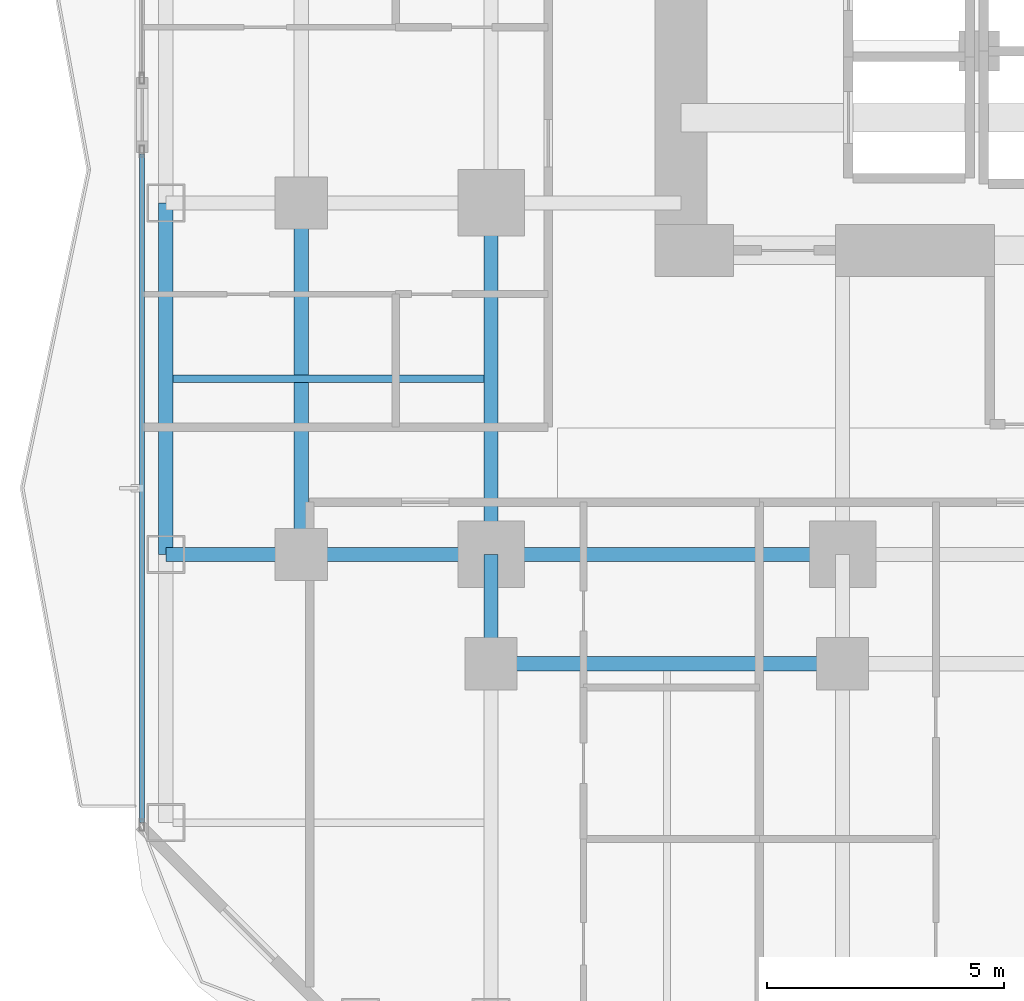
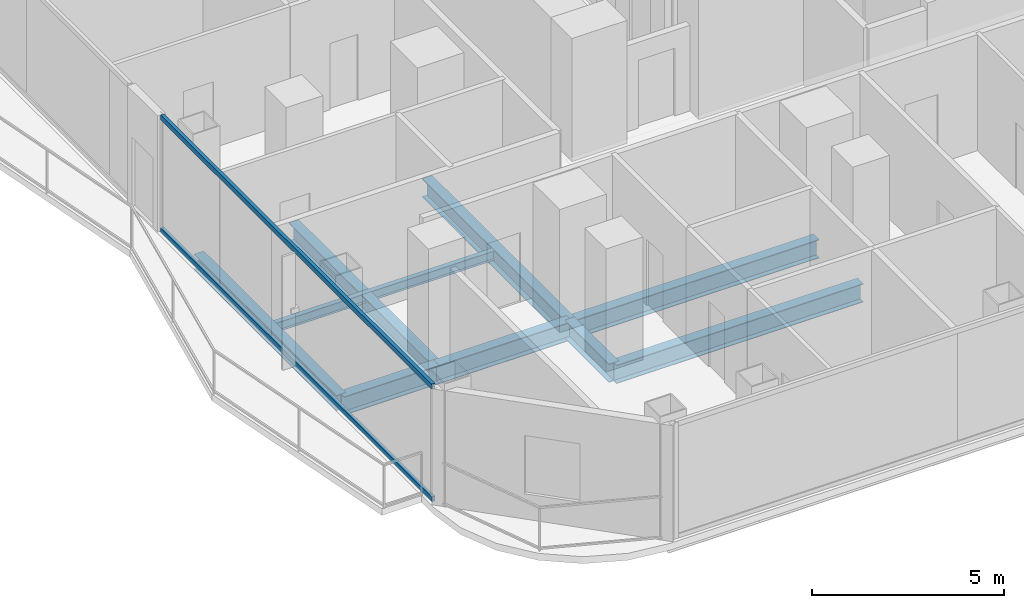
# One storey, part 3 of 30: 9 beams, 2 members, 1 element without a shape of its own.
"""IFC4 building model written with IfcOpenShell, lengths in metres."""

from ifc_helpers import new_model, si_unit, direction, frame, origin, origin_2d, place, context, subcontext, project, spatial, hollow_rectangle, i_section, extrude, material, layer, layer_set, material_profile, profile_set, type_object, element, aggregate, save


model = new_model("IFC4")

# Units and contexts
model_context = context("Model", 3, precision=1e-05, world=origin(), true_north=direction((0.0, 1.0)))
body_context = subcontext(model_context, "Body", "Model", "MODEL_VIEW")
ifc_project = project(units=[si_unit("LENGTHUNIT", "METRE"), si_unit("AREAUNIT", "SQUARE_METRE"), si_unit("VOLUMEUNIT", "CUBIC_METRE"), si_unit("PLANEANGLEUNIT", "RADIAN"), si_unit("MASSUNIT", "GRAM", prefix="KILO")], contexts=[model_context])

# Site, building, storey
site_placement = place(None, origin())
site = spatial("IfcSite", under=ifc_project, at=site_placement, CompositionType="ELEMENT")
building_placement = place(site_placement, origin())
building = spatial("IfcBuilding", under=site, at=building_placement, Name="Khorvyn Point Tower", CompositionType="ELEMENT")
storey_placement = place(building_placement, frame((0.0, 0.0, 30.60009765625)))
storey = spatial("IfcBuildingStorey", under=building, at=storey_placement, Name="L08", CompositionType="ELEMENT", Elevation=30.60009765625)

# Curtain wall, members
ifc_material_1 = material(Name="Anodised aluminium 6063-T6 and laminated Low-E glass", Category="aluminium")
ifc_layer = layer(ifc_material_1, 0.18994140625)
ifc_layer_set = layer_set([ifc_layer], Name="Stick-Built Finned Residential Curtain Wall CW-SYS-02")
curtain_wall_type = type_object("IfcCurtainWallType", Name="Stick-Built Finned Residential Curtain Wall CW-SYS-02", PredefinedType="NOTDEFINED", material=ifc_layer_set)
curtain_wall_placement = place(storey_placement, origin())
curtain_wall = element("IfcCurtainWall", 1, at=curtain_wall_placement, inside=storey, type_object=curtain_wall_type, Name="Curtain Wall", PredefinedType="NOTDEFINED")
ifc_material_2 = material(Name="Anodised aluminium 6063-T6", Category="aluminium")
ifc_material_profile_1 = material_profile(ifc_material_2, hollow_rectangle(XDim=0.10009765625, YDim=0.159912109375, WallThickness=0.00439453125, at=origin_2d()))
ifc_profile_set_1 = profile_set([ifc_material_profile_1], Name="Anodised aluminium 6063-T6 ALU-TRN-100x160")
member_type = type_object("IfcMemberType", Name="Anodised Aluminium 6063-T6 Transom ALU-TRN-100x160", PredefinedType="USERDEFINED", material=ifc_profile_set_1)
member_1_placement = place(storey_placement, frame((-22.14990234375, -20.449951171875, 0.0498046875), z_axis=(0.0, 1.0, 0.0), x_axis=(-1.0, 0.0, 0.0)))
member_1 = element("IfcMember", 2, at=member_1_placement, type_object=member_type, Name="Transom", ObjectType="TRANSOM", PredefinedType="USERDEFINED", context=body_context, shape_type="SweptSolid", body=[
    extrude(hollow_rectangle(XDim=0.10009765625, YDim=0.159912109375, WallThickness=0.00439453125, at=origin_2d()), origin(), (0.0, 0.0, 1.0), 14.0859375),
])
member_2_placement = place(storey_placement, frame((-22.14990234375, -20.449951171875, 3.6298828125), z_axis=(0.0, 1.0, 0.0), x_axis=(-1.0, 0.0, 0.0)))
member_2 = element("IfcMember", 3, at=member_2_placement, type_object=member_type, Name="Transom", ObjectType="TRANSOM", PredefinedType="USERDEFINED", context=body_context, shape_type="SweptSolid", body=[
    extrude(hollow_rectangle(XDim=0.10009765625, YDim=0.159912109375, WallThickness=0.00439453125, at=origin_2d()), origin(), (0.0, 0.0, 1.0), 14.0859375),
])
aggregate(curtain_wall, [member_1, member_2])

# Beams
ifc_material_3 = material(Name="Steel S355", Category="steel")
ifc_material_profile_2 = material_profile(ifc_material_3, i_section(OverallWidth=0.300048828125, OverallDepth=0.587890625, WebThickness=0.011962890625, FlangeThickness=0.02001953125, at=origin_2d()))
ifc_profile_set_2 = profile_set([ifc_material_profile_2], Name="Steel S355 H588x300x12x20")
beam_type_1 = type_object("IfcBeamType", Name="Steel S355 Beam H588x300x12x20", PredefinedType="BEAM", material=ifc_profile_set_2)
beam_1_placement = place(storey_placement, frame((-21.64990234375, -14.800048828125, -0.51416015625), z_axis=(1.0, 0.0, 0.0), x_axis=(0.0, 1.0, 0.0)))
element("IfcBeam", 4, at=beam_1_placement, inside=storey, type_object=beam_type_1, Name="Beam", PredefinedType="BEAM", context=body_context, shape_type="SweptSolid", body=[
    extrude(i_section(OverallWidth=0.300048828125, OverallDepth=0.587890625, WebThickness=0.011962890625, FlangeThickness=0.02001953125, at=origin_2d()), origin(), (0.0, 0.0, 1.0), 2.849853515625),
])
beam_2_placement = place(storey_placement, frame((-18.800048828125, -14.800048828125, -0.51416015625), z_axis=(1.0, 0.0, 0.0), x_axis=(0.0, 1.0, 0.0)))
element("IfcBeam", 5, at=beam_2_placement, inside=storey, type_object=beam_type_1, Name="Beam", PredefinedType="BEAM", context=body_context, shape_type="SweptSolid", body=[
    extrude(i_section(OverallWidth=0.300048828125, OverallDepth=0.587890625, WebThickness=0.011962890625, FlangeThickness=0.02001953125, at=origin_2d()), origin(), (0.0, 0.0, 1.0), 4.0),
])
for number, where, z_axis, x_axis, name in (
    (6, (-14.800048828125, -14.800048828125, -0.51416015625), (1.0, 0.0, 0.0), (0.0, 1.0, 0.0), "Beam"),
    (7, (-14.800048828125, -17.10009765625, -0.51416015625), (1.0, 0.0, 0.0), (0.0, 1.0, 0.0), "Beam"),
):
    element("IfcBeam", number, at=place(storey_placement, frame(where, z_axis=z_axis, x_axis=x_axis)), inside=storey, type_object=beam_type_1, Name=name, PredefinedType="BEAM", context=body_context, shape_type="SweptSolid", body=[
        extrude(i_section(OverallWidth=0.300048828125, OverallDepth=0.587890625, WebThickness=0.011962890625, FlangeThickness=0.02001953125, at=origin_2d()), origin(), (0.0, 0.0, 1.0), 7.400146484375),
    ])
beam_3_placement = place(storey_placement, frame((-14.800048828125, -17.10009765625, -0.51416015625), z_axis=(0.0, 1.0, 0.0), x_axis=(-1.0, 0.0, 0.0)))
element("IfcBeam", 8, at=beam_3_placement, inside=storey, type_object=beam_type_1, Name="Beam", PredefinedType="BEAM", context=body_context, shape_type="SweptSolid", body=[
    extrude(i_section(OverallWidth=0.300048828125, OverallDepth=0.587890625, WebThickness=0.011962890625, FlangeThickness=0.02001953125, at=origin_2d()), origin(), (0.0, 0.0, 1.0), 2.300048828125),
])
for number, where, z_axis, x_axis, name in (
    (9, (-14.800048828125, -14.800048828125, -0.51416015625), (0.0, 1.0, 0.0), (-1.0, 0.0, 0.0), "Beam"),
    (10, (-18.800048828125, -14.800048828125, -0.51416015625), (0.0, 1.0, 0.0), (-1.0, 0.0, 0.0), "Beam"),
):
    element("IfcBeam", number, at=place(storey_placement, frame(where, z_axis=z_axis, x_axis=x_axis)), inside=storey, type_object=beam_type_1, Name=name, PredefinedType="BEAM", context=body_context, shape_type="SweptSolid", body=[
        extrude(i_section(OverallWidth=0.300048828125, OverallDepth=0.587890625, WebThickness=0.011962890625, FlangeThickness=0.02001953125, at=origin_2d()), origin(), (0.0, 0.0, 1.0), 7.400146484375),
    ])
ifc_material_profile_3 = material_profile(ifc_material_3, i_section(OverallWidth=0.14990234375, OverallDepth=0.300048828125, WebThickness=0.006591796875, FlangeThickness=0.009033203125, at=origin_2d()))
ifc_profile_set_3 = profile_set([ifc_material_profile_3], Name="Steel S355 H300x150x6.5x9")
beam_type_2 = type_object("IfcBeamType", Name="Steel S355 Joist H300x150x6.5x9", PredefinedType="JOIST", material=ifc_profile_set_3)
beam_4_placement = place(storey_placement, frame((-21.5, -11.10009765625, -0.3701171875), z_axis=(1.0, 0.0, 0.0), x_axis=(0.0, 1.0, 0.0)))
element("IfcBeam", 11, at=beam_4_placement, inside=storey, type_object=beam_type_2, Name="Beam", PredefinedType="JOIST", context=body_context, shape_type="SweptSolid", body=[
    extrude(i_section(OverallWidth=0.14990234375, OverallDepth=0.300048828125, WebThickness=0.006591796875, FlangeThickness=0.009033203125, at=origin_2d()), origin(), (0.0, 0.0, 1.0), 6.550048828125),
])
ifc_material_profile_4 = material_profile(ifc_material_3, i_section(OverallWidth=0.300048828125, OverallDepth=0.488037109375, WebThickness=0.010986328125, FlangeThickness=0.01806640625, at=origin_2d()))
ifc_profile_set_4 = profile_set([ifc_material_profile_4], Name="Steel S355 H488x300x11x18")
beam_type_3 = type_object("IfcBeamType", Name="Steel S355 Spandrel H488x300x11x18", PredefinedType="SPANDREL", material=ifc_profile_set_4)
beam_5_placement = place(storey_placement, frame((-21.64990234375, -14.800048828125, -0.464111328125), z_axis=(0.0, 1.0, 0.0), x_axis=(-1.0, 0.0, 0.0)))
element("IfcBeam", 12, at=beam_5_placement, inside=storey, type_object=beam_type_3, Name="Beam", PredefinedType="SPANDREL", context=body_context, shape_type="SweptSolid", body=[
    extrude(i_section(OverallWidth=0.300048828125, OverallDepth=0.488037109375, WebThickness=0.010986328125, FlangeThickness=0.01806640625, at=origin_2d()), origin(), (0.0, 0.0, 1.0), 7.400146484375),
])

save(model, "model.ifc")
